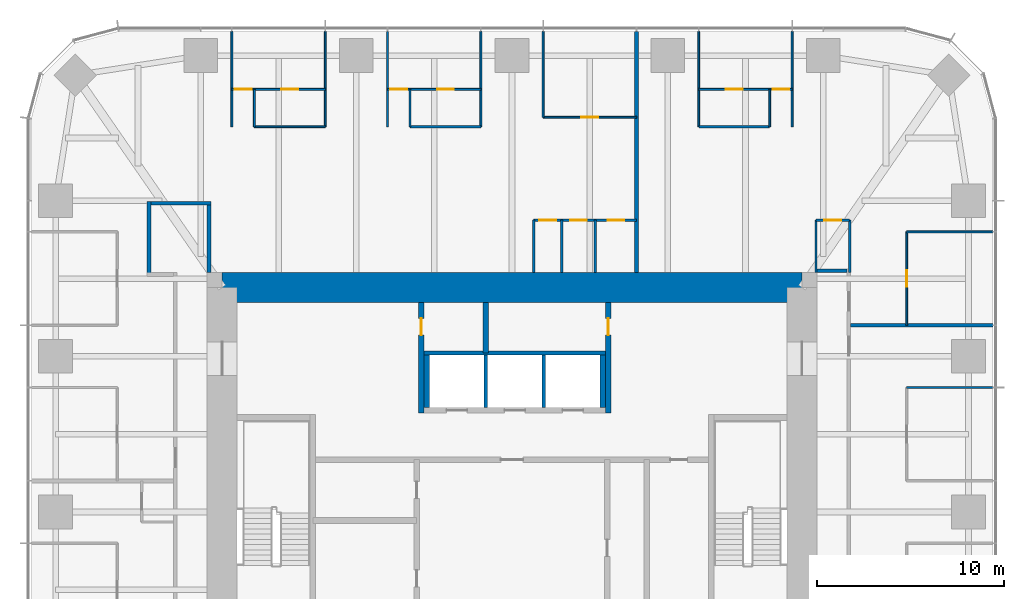
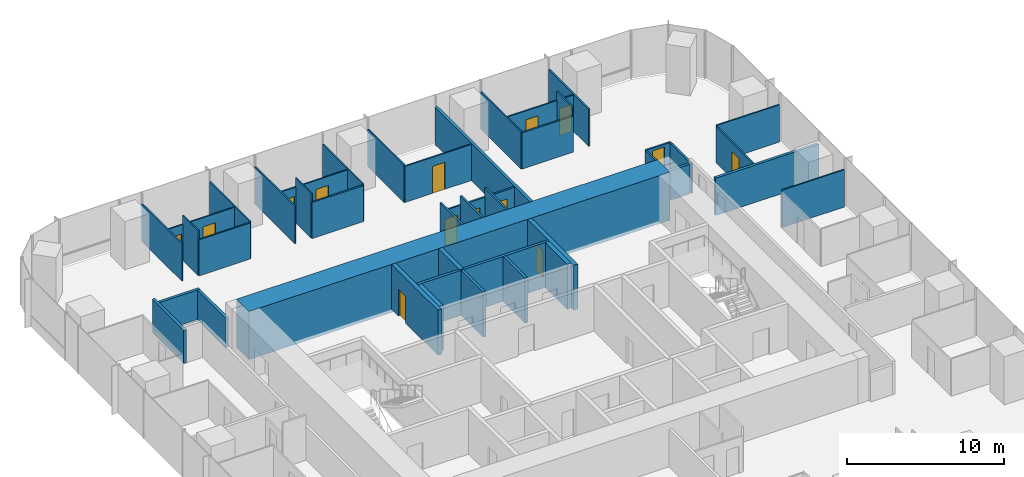
# One storey, part 11 of 13: 42 walls, 14 doors, 14 openings.
"""IFC4 building model written with IfcOpenShell, lengths in metres."""

from ifc_helpers import new_model, si_unit, direction, frame, frame_2d, origin, place, context, subcontext, project, spatial, rectangle, extrude, material, layer, layer_set, type_object, element, fill, save


model = new_model("IFC4")

# Units and contexts
model_context = context("Model", 3, precision=1e-05, world=origin(), true_north=direction((0.0, 1.0)))
body_context = subcontext(model_context, "Body", "Model", "MODEL_VIEW")
ifc_project = project(units=[si_unit("LENGTHUNIT", "METRE"), si_unit("AREAUNIT", "SQUARE_METRE"), si_unit("VOLUMEUNIT", "CUBIC_METRE"), si_unit("PLANEANGLEUNIT", "RADIAN"), si_unit("MASSUNIT", "GRAM", prefix="KILO")], contexts=[model_context])

# Site, building, storey
site_placement = place(None, origin())
site = spatial("IfcSite", under=ifc_project, at=site_placement, CompositionType="ELEMENT")
building_placement = place(site_placement, origin())
building = spatial("IfcBuilding", under=site, at=building_placement, Name="Khuree Lantern Residences", CompositionType="ELEMENT")
storey_placement = place(building_placement, frame((0.0, 0.0, 248.25)))
storey = spatial("IfcBuildingStorey", under=building, at=storey_placement, Name="L62", CompositionType="ELEMENT", Elevation=248.25)

# Wall
ifc_material_1 = material(Name="Moisture-resistant gypsum board on steel studs", Category="steel")
ifc_layer_1 = layer(ifc_material_1, 0.125)
ifc_layer_set_1 = layer_set([ifc_layer_1], Name="BATHROOM WALL BTW125")
wall_type_1 = type_object("IfcWallType", Name="BATHROOM WALL BTW125", PredefinedType="PARTITIONING", material=ifc_layer_set_1)
wall_1_placement = place(storey_placement, frame((13.77587890625, 20.594970703125, 0.0), z_axis=(0.0, 0.0, 1.0), x_axis=(-1.0, 0.0, 0.0)))
element("IfcWall", 1, at=wall_1_placement, inside=storey, type_object=wall_type_1, Name="L62 BATHROOM WALL 02", PredefinedType="PARTITIONING", context=body_context, shape_type="SweptSolid", body=[
    extrude(rectangle(XDim=3.7919921875, YDim=0.125, at=frame_2d((1.89599609375, 0.0))), origin(), (0.0, 0.0, 1.0), 2.81005859375),
])

# Wall, opening, door
wall_2_placement = place(storey_placement, frame((18.050048828125, 15.60009765625, 0.0), z_axis=(0.0, 0.0, 1.0), x_axis=(-1.0, 0.0, 0.0)))
wall_2 = element("IfcWall", 2, at=wall_2_placement, inside=storey, type_object=wall_type_1, Name="L62 BATHROOM WALL 02", PredefinedType="PARTITIONING", context=body_context, shape_type="SweptSolid", body=[
    extrude(rectangle(XDim=1.800048828125, YDim=0.125, at=frame_2d((0.89990234375, 0.0))), origin(), (0.0, 0.0, 1.0), 2.300048828125),
])
opening_1_placement = place(wall_2_placement, frame((0.449951171875, 0.0, 0.0)))
opening_1 = element("IfcOpeningElement", 3, at=opening_1_placement, cuts=wall_2, Name="Opening 62-029", PredefinedType="OPENING", context=body_context, shape_type="SweptSolid", body=[
    extrude(rectangle(XDim=0.89990234375, YDim=2.10009765625, at=frame_2d((0.449951171875, 1.050048828125))), frame((0.0, 0.072509765625, 0.0), z_axis=(0.0, -1.0, 0.0), x_axis=(1.0, 0.0, 0.0)), (0.0, 0.0, 1.0), 0.14501953125),
])
ifc_material_2 = material(Name="Timber door leaf in hardwood frame", Category="wood")
door_type_1 = type_object("IfcDoorType", Name="BATHROOM DOOR 900X2100", OperationType="SINGLE_SWING_LEFT", PredefinedType="DOOR", material=ifc_material_2)
door_1_placement = place(opening_1_placement, origin())
door_1 = element("IfcDoor", 4, at=door_1_placement, inside=storey, type_object=door_type_1, Name="Bathroom door 62-029", OperationType="SINGLE_SWING_LEFT", OverallHeight=2.10009765625, OverallWidth=0.89990234375, PredefinedType="DOOR", context=body_context, shape_type="SweptSolid", body=[
    extrude(rectangle(XDim=0.89990234375, YDim=2.10009765625, at=frame_2d((0.449951171875, 1.050048828125))), frame((0.0, 0.02490234375, 0.0), z_axis=(0.0, -1.0, 0.0), x_axis=(1.0, 0.0, 0.0)), (0.0, 0.0, 1.0), 0.050048828125),
])
fill(opening_1, door_1)

# Walls
for number, where, z_axis, x_axis, name in (
    (5, (18.050048828125, 12.800048828125, 0.0), (0.0, 0.0, 1.0), (0.0, 1.0, 0.0), "L62 BATHROOM WALL 02"),
    (6, (16.25, 12.800048828125, 0.0), (0.0, 0.0, 1.0), (0.0, 1.0, 0.0), "L62 BATHROOM WALL 02"),
):
    element("IfcWall", number, at=place(storey_placement, frame(where, z_axis=z_axis, x_axis=x_axis)), inside=storey, type_object=wall_type_1, Name=name, PredefinedType="PARTITIONING", context=body_context, shape_type="SweptSolid", body=[
        extrude(rectangle(XDim=2.800048828125, YDim=0.125, at=frame_2d((1.39990234375, 0.0))), origin(), (0.0, 0.0, 1.0), 2.300048828125),
    ])
wall_3_placement = place(storey_placement, frame((-1.6640625, 20.594970703125, 0.0), z_axis=(0.0, 0.0, 1.0), x_axis=(-1.0, 0.0, 0.0)))
element("IfcWall", 7, at=wall_3_placement, inside=storey, type_object=wall_type_1, Name="L62 BATHROOM WALL 03", PredefinedType="PARTITIONING", context=body_context, shape_type="SweptSolid", body=[
    extrude(rectangle(XDim=3.7919921875, YDim=0.125, at=frame_2d((1.89599609375, 0.0))), origin(), (0.0, 0.0, 1.0), 2.81005859375),
])

# Wall, openings, doors
wall_4_placement = place(storey_placement, frame((6.656005859375, 15.60009765625, 0.0), z_axis=(0.0, 0.0, 1.0), x_axis=(-1.0, 0.0, 0.0)))
wall_4 = element("IfcWall", 8, at=wall_4_placement, inside=storey, type_object=wall_type_1, Name="L62 BATHROOM WALL 03", PredefinedType="PARTITIONING", context=body_context, shape_type="SweptSolid", body=[
    extrude(rectangle(XDim=5.5, YDim=0.125, at=frame_2d((2.75, 0.0))), origin(), (0.0, 0.0, 1.0), 2.81005859375),
])
opening_2_placement = place(wall_4_placement, frame((0.64990234375, 0.0, 0.0)))
opening_2 = element("IfcOpeningElement", 9, at=opening_2_placement, cuts=wall_4, Name="Opening 62-038", PredefinedType="OPENING", context=body_context, shape_type="SweptSolid", body=[
    extrude(rectangle(XDim=0.89990234375, YDim=2.10009765625, at=frame_2d((0.449951171875, 1.050048828125))), frame((0.0, 0.072509765625, 0.0), z_axis=(0.0, -1.0, 0.0), x_axis=(1.0, 0.0, 0.0)), (0.0, 0.0, 1.0), 0.14501953125),
])
opening_3_placement = place(wall_4_placement, frame((2.64990234375, 0.0, 0.0)))
opening_3 = element("IfcOpeningElement", 10, at=opening_3_placement, cuts=wall_4, Name="Opening 62-039", PredefinedType="OPENING", context=body_context, shape_type="SweptSolid", body=[
    extrude(rectangle(XDim=0.89990234375, YDim=2.10009765625, at=frame_2d((0.449951171875, 1.050048828125))), frame((0.0, 0.072509765625, 0.0), z_axis=(0.0, -1.0, 0.0), x_axis=(1.0, 0.0, 0.0)), (0.0, 0.0, 1.0), 0.14501953125),
])
opening_4_placement = place(wall_4_placement, frame((4.300048828125, 0.0, 0.0)))
opening_4 = element("IfcOpeningElement", 11, at=opening_4_placement, cuts=wall_4, Name="Opening 62-040", PredefinedType="OPENING", context=body_context, shape_type="SweptSolid", body=[
    extrude(rectangle(XDim=0.89990234375, YDim=2.10009765625, at=frame_2d((0.449951171875, 1.050048828125))), frame((0.0, 0.072509765625, 0.0), z_axis=(0.0, -1.0, 0.0), x_axis=(1.0, 0.0, 0.0)), (0.0, 0.0, 1.0), 0.14501953125),
])
door_2_placement = place(opening_2_placement, origin())
door_2 = element("IfcDoor", 12, at=door_2_placement, inside=storey, type_object=door_type_1, Name="Bathroom door 62-038", OperationType="SINGLE_SWING_LEFT", OverallHeight=2.10009765625, OverallWidth=0.89990234375, PredefinedType="DOOR", context=body_context, shape_type="SweptSolid", body=[
    extrude(rectangle(XDim=0.89990234375, YDim=2.10009765625, at=frame_2d((0.449951171875, 1.050048828125))), frame((0.0, 0.02490234375, 0.0), z_axis=(0.0, -1.0, 0.0), x_axis=(1.0, 0.0, 0.0)), (0.0, 0.0, 1.0), 0.050048828125),
])
fill(opening_2, door_2)
door_type_2 = type_object("IfcDoorType", Name="DOOR 900X2100", OperationType="SINGLE_SWING_LEFT", PredefinedType="DOOR", material=ifc_material_2)
door_3_placement = place(opening_3_placement, origin())
door_3 = element("IfcDoor", 13, at=door_3_placement, inside=storey, type_object=door_type_2, Name="Store door 62-039", OperationType="SINGLE_SWING_LEFT", OverallHeight=2.10009765625, OverallWidth=0.89990234375, PredefinedType="DOOR", context=body_context, shape_type="SweptSolid", body=[
    extrude(rectangle(XDim=0.89990234375, YDim=2.10009765625, at=frame_2d((0.449951171875, 1.050048828125))), frame((0.0, 0.02490234375, 0.0), z_axis=(0.0, -1.0, 0.0), x_axis=(1.0, 0.0, 0.0)), (0.0, 0.0, 1.0), 0.050048828125),
])
fill(opening_3, door_3)
door_type_3 = type_object("IfcDoorType", Name="WC DOOR 900X2100", OperationType="SINGLE_SWING_LEFT", PredefinedType="DOOR", material=ifc_material_2)
door_4_placement = place(opening_4_placement, origin())
door_4 = element("IfcDoor", 14, at=door_4_placement, inside=storey, type_object=door_type_3, Name="WC door 62-040", OperationType="SINGLE_SWING_LEFT", OverallHeight=2.10009765625, OverallWidth=0.89990234375, PredefinedType="DOOR", context=body_context, shape_type="SweptSolid", body=[
    extrude(rectangle(XDim=0.89990234375, YDim=2.10009765625, at=frame_2d((0.449951171875, 1.050048828125))), frame((0.0, 0.02490234375, 0.0), z_axis=(0.0, -1.0, 0.0), x_axis=(1.0, 0.0, 0.0)), (0.0, 0.0, 1.0), 0.050048828125),
])
fill(opening_4, door_4)

# Walls
for number, where, z_axis, x_axis, name in (
    (15, (4.4560546875, 12.800048828125, 0.0), (0.0, 0.0, 1.0), (0.0, 1.0, 0.0), "L62 BATHROOM WALL 03"),
    (16, (2.656005859375, 12.800048828125, 0.0), (0.0, 0.0, 1.0), (0.0, 1.0, 0.0), "L62 BATHROOM WALL 03"),
    (17, (1.156005859375, 12.800048828125, 0.0), (0.0, 0.0, 1.0), (0.0, 1.0, 0.0), "L62 BATHROOM WALL 03"),
):
    element("IfcWall", number, at=place(storey_placement, frame(where, z_axis=z_axis, x_axis=x_axis)), inside=storey, type_object=wall_type_1, Name=name, PredefinedType="PARTITIONING", context=body_context, shape_type="SweptSolid", body=[
        extrude(rectangle(XDim=2.800048828125, YDim=0.125, at=frame_2d((1.39990234375, 0.0))), origin(), (0.0, 0.0, 1.0), 3.5),
    ])
ifc_material_3 = material(Name="Dense concrete blockwork", Category="masonry")
ifc_layer_2 = layer(ifc_material_3, 0.300048828125)
ifc_layer_set_2 = layer_set([ifc_layer_2], Name="CORE PARTITION WALL CPW300 EI 120")
wall_type_2 = type_object("IfcWallType", Name="CORE PARTITION WALL CPW300 EI 120", PredefinedType="PARTITIONING", material=ifc_layer_set_2)
for number, where, z_axis, x_axis, name in (
    (18, (-4.550048828125, 5.60009765625, 0.0), (0.0, 0.0, 1.0), (0.0, 1.0, 0.0), "L62 CORE WALL PHW"),
    (19, (4.85009765625, 5.60009765625, 0.0), (0.0, 0.0, 1.0), (0.0, 1.0, 0.0), "L62 CORE WALL PHE"),
):
    element("IfcWall", number, at=place(storey_placement, frame(where, z_axis=z_axis, x_axis=x_axis)), inside=storey, type_object=wall_type_2, Name=name, PredefinedType="PARTITIONING", context=body_context, shape_type="SweptSolid", body=[
        extrude(rectangle(XDim=2.7998046875, YDim=0.300048828125, at=frame_2d((1.39990234375, 0.0))), origin(), (0.0, 0.0, 1.0), 3.5),
    ])

# Wall, opening, door
wall_5_placement = place(storey_placement, frame((-4.85009765625, 5.300048828125, 0.0), z_axis=(0.0, 0.0, 1.0), x_axis=(0.0, 1.0, 0.0)))
wall_5 = element("IfcWall", 20, at=wall_5_placement, inside=storey, type_object=wall_type_2, Name="L62 CORE WALL NW", PredefinedType="PARTITIONING", context=body_context, shape_type="SweptSolid", body=[
    extrude(rectangle(XDim=5.89990234375, YDim=0.300048828125, at=frame_2d((2.949951171875, 0.0))), origin(), (0.0, 0.0, 1.0), 3.5),
])
opening_5_placement = place(wall_5_placement, frame((4.14990234375, 0.0, 0.0)))
opening_5 = element("IfcOpeningElement", 21, at=opening_5_placement, cuts=wall_5, Name="Opening 62-020", PredefinedType="OPENING", context=body_context, shape_type="SweptSolid", body=[
    extrude(rectangle(XDim=0.89990234375, YDim=2.10009765625, at=frame_2d((0.449951171875, 1.050048828125))), frame((0.0, 0.16015625, 0.0), z_axis=(0.0, -1.0, 0.0), x_axis=(1.0, 0.0, 0.0)), (0.0, 0.0, 1.0), 0.320068359375),
])
door_type_4 = type_object("IfcDoorType", Name="DOOR 900X2100 RIGHT HAND", OperationType="SINGLE_SWING_RIGHT", PredefinedType="DOOR", material=ifc_material_2)
door_5_placement = place(opening_5_placement, origin())
door_5 = element("IfcDoor", 22, at=door_5_placement, inside=storey, type_object=door_type_4, Name="Comms room door 62-020", OperationType="SINGLE_SWING_RIGHT", OverallHeight=2.10009765625, OverallWidth=0.89990234375, PredefinedType="DOOR", context=body_context, shape_type="SweptSolid", body=[
    extrude(rectangle(XDim=0.89990234375, YDim=2.10009765625, at=frame_2d((0.449951171875, 1.050048828125))), frame((0.0, 0.02490234375, 0.0), z_axis=(0.0, -1.0, 0.0), x_axis=(1.0, 0.0, 0.0)), (0.0, 0.0, 1.0), 0.050048828125),
])
fill(opening_5, door_5)

wall_6_placement = place(storey_placement, frame((5.14990234375, 5.300048828125, 0.0), z_axis=(0.0, 0.0, 1.0), x_axis=(0.0, 1.0, 0.0)))
wall_6 = element("IfcWall", 23, at=wall_6_placement, inside=storey, type_object=wall_type_2, Name="L62 CORE WALL NE", PredefinedType="PARTITIONING", context=body_context, shape_type="SweptSolid", body=[
    extrude(rectangle(XDim=5.89990234375, YDim=0.300048828125, at=frame_2d((2.949951171875, 0.0))), origin(), (0.0, 0.0, 1.0), 3.5),
])
opening_6_placement = place(wall_6_placement, frame((4.14990234375, 0.0, 0.0)))
opening_6 = element("IfcOpeningElement", 24, at=opening_6_placement, cuts=wall_6, Name="Opening 62-021", PredefinedType="OPENING", context=body_context, shape_type="SweptSolid", body=[
    extrude(rectangle(XDim=0.89990234375, YDim=2.10009765625, at=frame_2d((0.449951171875, 1.050048828125))), frame((0.0, 0.16015625, 0.0), z_axis=(0.0, -1.0, 0.0), x_axis=(1.0, 0.0, 0.0)), (0.0, 0.0, 1.0), 0.320068359375),
])
door_6_placement = place(opening_6_placement, origin())
door_6 = element("IfcDoor", 25, at=door_6_placement, inside=storey, type_object=door_type_2, Name="Bulky waste store door 62-021", OperationType="SINGLE_SWING_LEFT", OverallHeight=2.10009765625, OverallWidth=0.89990234375, PredefinedType="DOOR", context=body_context, shape_type="SweptSolid", body=[
    extrude(rectangle(XDim=0.89990234375, YDim=2.10009765625, at=frame_2d((0.449951171875, 1.050048828125))), frame((0.0, 0.02490234375, 0.0), z_axis=(0.0, -1.0, 0.0), x_axis=(1.0, 0.0, 0.0)), (0.0, 0.0, 1.0), 0.050048828125),
])
fill(opening_6, door_6)

# Walls
wall_7_placement = place(storey_placement, frame((-1.39990234375, 8.5, 0.0), z_axis=(0.0, 0.0, 1.0), x_axis=(0.0, 1.0, 0.0)))
element("IfcWall", 26, at=wall_7_placement, inside=storey, type_object=wall_type_2, Name="L62 CORE WALL NX", PredefinedType="PARTITIONING", context=body_context, shape_type="SweptSolid", body=[
    extrude(rectangle(XDim=2.699951171875, YDim=0.300048828125, at=frame_2d((1.35009765625, 0.0))), origin(), (0.0, 0.0, 1.0), 3.5),
])
ifc_material_4 = material(Name="Gypsum board on steel studs", Category="steel")
ifc_layer_3 = layer(ifc_material_4, 0.199951171875)
ifc_layer_set_3 = layer_set([ifc_layer_3], Name="CORRIDOR WALL CRW200 EI 60")
wall_type_3 = type_object("IfcWallType", Name="CORRIDOR WALL CRW200 EI 60", PredefinedType="PARTITIONING", material=ifc_layer_set_3)
wall_8_placement = place(storey_placement, frame((-19.39990234375, 12.60009765625, 0.0), z_axis=(0.0, 0.0, 1.0), x_axis=(0.0, 1.0, 0.0)))
element("IfcWall", 27, at=wall_8_placement, inside=storey, type_object=wall_type_3, Name="L62 RESIDENTS LOUNGE WALL", PredefinedType="PARTITIONING", context=body_context, shape_type="SweptSolid", body=[
    extrude(rectangle(XDim=4.0, YDim=0.199951171875, at=frame_2d((2.0, 0.0))), origin(), (0.0, 0.0, 1.0), 2.60009765625),
])
wall_9_placement = place(storey_placement, frame((-19.300048828125, 16.5, 0.0), z_axis=(0.0, 0.0, 1.0), x_axis=(1.0, 0.0, 0.0)))
element("IfcWall", 28, at=wall_9_placement, inside=storey, type_object=wall_type_3, Name="L62 RESIDENTS LOUNGE WALL", PredefinedType="PARTITIONING", context=body_context, shape_type="SweptSolid", body=[
    extrude(rectangle(XDim=3.199951171875, YDim=0.199951171875, at=frame_2d((1.60009765625, 0.0))), origin(), (0.0, 0.0, 1.0), 2.300048828125),
])
wall_10_placement = place(storey_placement, frame((-16.199951171875, 16.60009765625, 0.0), z_axis=(0.0, 0.0, 1.0), x_axis=(0.0, -1.0, 0.0)))
element("IfcWall", 29, at=wall_10_placement, inside=storey, type_object=wall_type_3, Name="L62 RESIDENTS LOUNGE WALL", PredefinedType="PARTITIONING", context=body_context, shape_type="SweptSolid", body=[
    extrude(rectangle(XDim=3.800048828125, YDim=0.199951171875, at=frame_2d((1.89990234375, 0.0))), origin(), (0.0, 0.0, 1.0), 2.300048828125),
])
wall_11_placement = place(storey_placement, frame((16.300048828125, 12.89990234375, 0.0), z_axis=(0.0, 0.0, 1.0), x_axis=(1.0, 0.0, 0.0)))
element("IfcWall", 30, at=wall_11_placement, inside=storey, type_object=wall_type_3, Name="L62 EAST CORRIDOR NORTH END WALL", PredefinedType="PARTITIONING", context=body_context, shape_type="SweptSolid", body=[
    extrude(rectangle(XDim=1.599853515625, YDim=0.199951171875, at=frame_2d((0.7998046875, 0.0))), origin(), (0.0, 0.0, 1.0), 2.300048828125),
])
ifc_material_5 = material(Name="Concrete C50/60", Category="concrete")
ifc_layer_4 = layer(ifc_material_5, 1.60009765625)
ifc_layer_set_4 = layer_set([ifc_layer_4], Name="CW1600-C50 CORE WALL C50 1600")
wall_type_4 = type_object("IfcWallType", Name="CW1600-C50 CORE WALL C50 1600", PredefinedType="SHEAR", material=ifc_layer_set_4)
wall_12_placement = place(storey_placement, frame((-15.5, 12.0, -0.25), z_axis=(0.0, 0.0, 1.0), x_axis=(1.0, 0.0, 0.0)))
element("IfcWall", 31, at=wall_12_placement, inside=storey, type_object=wall_type_4, Name="Core wall N", PredefinedType="SHEAR", context=body_context, shape_type="SweptSolid", body=[
    extrude(rectangle(XDim=31.0, YDim=1.60009765625, at=frame_2d((15.5, 0.0))), origin(), (0.0, 0.0, 1.0), 3.75),
])
ifc_layer_5 = layer(ifc_material_4, 0.199951171875)
ifc_layer_set_5 = layer_set([ifc_layer_5], Name="DEMISING WALL DMW200 EI 90")
wall_type_5 = type_object("IfcWallType", Name="DEMISING WALL DMW200 EI 90", PredefinedType="PARTITIONING", material=ifc_layer_set_5)
wall_13_placement = place(storey_placement, frame((18.10009765625, 9.98388671875, 0.0), z_axis=(0.0, 0.0, 1.0), x_axis=(1.0, 0.0, 0.0)))
element("IfcWall", 32, at=wall_13_placement, inside=storey, type_object=wall_type_5, Name="L62 DEMISING WALL 02", PredefinedType="PARTITIONING", context=body_context, shape_type="SweptSolid", body=[
    extrude(rectangle(XDim=7.599853515625, YDim=0.199951171875, at=frame_2d((3.7998046875, 0.0))), origin(), (0.0, 0.0, 1.0), 2.909912109375),
])
wall_14_placement = place(storey_placement, frame((6.656005859375, 12.800048828125, 0.0), z_axis=(0.0, 0.0, 1.0), x_axis=(0.0, 1.0, 0.0)))
element("IfcWall", 33, at=wall_14_placement, inside=storey, type_object=wall_type_5, Name="L62 DEMISING WALL 03", PredefinedType="PARTITIONING", context=body_context, shape_type="SweptSolid", body=[
    extrude(rectangle(XDim=12.89990234375, YDim=0.199951171875, at=frame_2d((6.449951171875, 0.0))), origin(), (0.0, 0.0, 1.0), 2.909912109375),
])
ifc_layer_6 = layer(ifc_material_4, 0.10009765625)
ifc_layer_set_6 = layer_set([ifc_layer_6], Name="PARTITION PT100")
wall_type_6 = type_object("IfcWallType", Name="PARTITION PT100", PredefinedType="PARTITIONING", material=ifc_layer_set_6)
for number, where, z_axis, x_axis, name in (
    (34, (21.10009765625, 6.656005859375, 0.0), (0.0, 0.0, 1.0), (1.0, 0.0, 0.0), "L62 PARTITION 01"),
    (35, (21.10009765625, 14.97607421875, 0.0), (0.0, 0.0, 1.0), (1.0, 0.0, 0.0), "L62 PARTITION 02"),
):
    element("IfcWall", number, at=place(storey_placement, frame(where, z_axis=z_axis, x_axis=x_axis)), inside=storey, type_object=wall_type_6, Name=name, PredefinedType="PARTITIONING", context=body_context, shape_type="SweptSolid", body=[
        extrude(rectangle(XDim=4.599853515625, YDim=0.10009765625, at=frame_2d((2.2998046875, 0.0))), origin(), (0.0, 0.0, 1.0), 2.909912109375),
    ])
for number, where, z_axis, x_axis, name in (
    (36, (14.97607421875, 20.594970703125, 0.0), (0.0, 0.0, 1.0), (0.0, 1.0, 0.0), "L62 PARTITION 02"),
    (37, (9.98388671875, 20.594970703125, 0.0), (0.0, 0.0, 1.0), (0.0, 1.0, 0.0), "L62 PARTITION 02"),
):
    element("IfcWall", number, at=place(storey_placement, frame(where, z_axis=z_axis, x_axis=x_axis)), inside=storey, type_object=wall_type_6, Name=name, PredefinedType="PARTITIONING", context=body_context, shape_type="SweptSolid", body=[
        extrude(rectangle(XDim=5.10498046875, YDim=0.10009765625, at=frame_2d((2.552490234375, 0.0))), origin(), (0.0, 0.0, 1.0), 2.909912109375),
    ])
wall_15_placement = place(storey_placement, frame((1.6640625, 21.10009765625, 0.0), z_axis=(0.0, 0.0, 1.0), x_axis=(0.0, 1.0, 0.0)))
element("IfcWall", 38, at=wall_15_placement, inside=storey, type_object=wall_type_6, Name="L62 PARTITION 03", PredefinedType="PARTITIONING", context=body_context, shape_type="SweptSolid", body=[
    extrude(rectangle(XDim=4.599853515625, YDim=0.10009765625, at=frame_2d((2.2998046875, 0.0))), origin(), (0.0, 0.0, 1.0), 2.909912109375),
])
for number, where, z_axis, x_axis, name in (
    (39, (-1.6640625, 20.594970703125, 0.0), (0.0, 0.0, 1.0), (0.0, 1.0, 0.0), "L62 PARTITION 03"),
    (40, (-6.656005859375, 20.594970703125, 0.0), (0.0, 0.0, 1.0), (0.0, 1.0, 0.0), "L62 PARTITION 03"),
    (41, (-9.98388671875, 20.594970703125, 0.0), (0.0, 0.0, 1.0), (0.0, 1.0, 0.0), "L62 PARTITION 03"),
    (42, (-14.97607421875, 20.594970703125, 0.0), (0.0, 0.0, 1.0), (0.0, 1.0, 0.0), "L62 PARTITION 03"),
):
    element("IfcWall", number, at=place(storey_placement, frame(where, z_axis=z_axis, x_axis=x_axis)), inside=storey, type_object=wall_type_6, Name=name, PredefinedType="PARTITIONING", context=body_context, shape_type="SweptSolid", body=[
        extrude(rectangle(XDim=5.10498046875, YDim=0.10009765625, at=frame_2d((2.552490234375, 0.0))), origin(), (0.0, 0.0, 1.0), 2.909912109375),
    ])

# Wall, opening, door
wall_16_placement = place(storey_placement, frame((21.10009765625, 9.98388671875, 0.0), z_axis=(0.0, 0.0, 1.0), x_axis=(0.0, 1.0, 0.0)))
wall_16 = element("IfcWall", 43, at=wall_16_placement, inside=storey, type_object=wall_type_6, Name="L62 PARTITION 02", PredefinedType="PARTITIONING", context=body_context, shape_type="SweptSolid", body=[
    extrude(rectangle(XDim=4.9921875, YDim=0.10009765625, at=frame_2d((2.49609375, 0.0))), origin(), (0.0, 0.0, 1.0), 2.81005859375),
])
opening_7_placement = place(wall_16_placement, frame((2.0458984375, 0.0, 0.0)))
opening_7 = element("IfcOpeningElement", 44, at=opening_7_placement, cuts=wall_16, Name="Opening 62-026", PredefinedType="OPENING", context=body_context, shape_type="SweptSolid", body=[
    extrude(rectangle(XDim=0.89990234375, YDim=2.10009765625, at=frame_2d((0.449951171875, 1.050048828125))), frame((0.0, 0.06005859375, 0.0), z_axis=(0.0, -1.0, 0.0), x_axis=(1.0, 0.0, 0.0)), (0.0, 0.0, 1.0), 0.1201171875),
])
door_type_5 = type_object("IfcDoorType", Name="BEDROOM DOOR 900X2100", OperationType="SINGLE_SWING_LEFT", PredefinedType="DOOR", material=ifc_material_2)
door_7_placement = place(opening_7_placement, origin())
door_7 = element("IfcDoor", 45, at=door_7_placement, inside=storey, type_object=door_type_5, Name="Bedroom door 62-026", OperationType="SINGLE_SWING_LEFT", OverallHeight=2.10009765625, OverallWidth=0.89990234375, PredefinedType="DOOR", context=body_context, shape_type="SweptSolid", body=[
    extrude(rectangle(XDim=0.89990234375, YDim=2.10009765625, at=frame_2d((0.449951171875, 1.050048828125))), frame((0.0, 0.02490234375, 0.0), z_axis=(0.0, -1.0, 0.0), x_axis=(1.0, 0.0, 0.0)), (0.0, 0.0, 1.0), 0.050048828125),
])
fill(opening_7, door_7)

# Wall, openings, doors
wall_17_placement = place(storey_placement, frame((14.97607421875, 22.594970703125, 0.0), z_axis=(0.0, 0.0, 1.0), x_axis=(-1.0, 0.0, 0.0)))
wall_17 = element("IfcWall", 46, at=wall_17_placement, inside=storey, type_object=wall_type_6, Name="L62 PARTITION 02", PredefinedType="PARTITIONING", context=body_context, shape_type="SweptSolid", body=[
    extrude(rectangle(XDim=4.9921875, YDim=0.10009765625, at=frame_2d((2.49609375, 0.0))), origin(), (0.0, 0.0, 1.0), 2.81005859375),
])
opening_8_placement = place(wall_17_placement, frame((0.14990234375, 0.0, 0.0)))
opening_8 = element("IfcOpeningElement", 47, at=opening_8_placement, cuts=wall_17, Name="Opening 62-027", PredefinedType="OPENING", context=body_context, shape_type="SweptSolid", body=[
    extrude(rectangle(XDim=0.89990234375, YDim=2.10009765625, at=frame_2d((0.449951171875, 1.050048828125))), frame((0.0, 0.06005859375, 0.0), z_axis=(0.0, -1.0, 0.0), x_axis=(1.0, 0.0, 0.0)), (0.0, 0.0, 1.0), 0.1201171875),
])
opening_9_placement = place(wall_17_placement, frame((2.64599609375, 0.0, 0.0)))
opening_9 = element("IfcOpeningElement", 48, at=opening_9_placement, cuts=wall_17, Name="Opening 62-028", PredefinedType="OPENING", context=body_context, shape_type="SweptSolid", body=[
    extrude(rectangle(XDim=0.89990234375, YDim=2.10009765625, at=frame_2d((0.449951171875, 1.050048828125))), frame((0.0, 0.06005859375, 0.0), z_axis=(0.0, -1.0, 0.0), x_axis=(1.0, 0.0, 0.0)), (0.0, 0.0, 1.0), 0.1201171875),
])
door_8_placement = place(opening_9_placement, origin())
door_8 = element("IfcDoor", 49, at=door_8_placement, inside=storey, type_object=door_type_1, Name="Bathroom door 62-028", OperationType="SINGLE_SWING_LEFT", OverallHeight=2.10009765625, OverallWidth=0.89990234375, PredefinedType="DOOR", context=body_context, shape_type="SweptSolid", body=[
    extrude(rectangle(XDim=0.89990234375, YDim=2.10009765625, at=frame_2d((0.449951171875, 1.050048828125))), frame((0.0, 0.02490234375, 0.0), z_axis=(0.0, -1.0, 0.0), x_axis=(1.0, 0.0, 0.0)), (0.0, 0.0, 1.0), 0.050048828125),
])
fill(opening_9, door_8)
door_9_placement = place(opening_8_placement, origin())
door_9 = element("IfcDoor", 50, at=door_9_placement, inside=storey, type_object=door_type_5, Name="Bedroom door 62-027", OperationType="SINGLE_SWING_LEFT", OverallHeight=2.10009765625, OverallWidth=0.89990234375, PredefinedType="DOOR", context=body_context, shape_type="SweptSolid", body=[
    extrude(rectangle(XDim=0.89990234375, YDim=2.10009765625, at=frame_2d((0.449951171875, 1.050048828125))), frame((0.0, 0.02490234375, 0.0), z_axis=(0.0, -1.0, 0.0), x_axis=(1.0, 0.0, 0.0)), (0.0, 0.0, 1.0), 0.050048828125),
])
fill(opening_8, door_9)

# Wall
wall_18_placement = place(storey_placement, frame((13.77587890625, 20.594970703125, 0.0), z_axis=(0.0, 0.0, 1.0), x_axis=(0.0, 1.0, 0.0)))
element("IfcWall", 51, at=wall_18_placement, inside=storey, type_object=wall_type_6, Name="L62 PARTITION 02", PredefinedType="PARTITIONING", context=body_context, shape_type="SweptSolid", body=[
    extrude(rectangle(XDim=2.0, YDim=0.10009765625, at=frame_2d((1.0, 0.0))), origin(), (0.0, 0.0, 1.0), 3.5),
])

# Wall, opening, door
wall_19_placement = place(storey_placement, frame((6.656005859375, 21.10009765625, 0.0), z_axis=(0.0, 0.0, 1.0), x_axis=(-1.0, 0.0, 0.0)))
wall_19 = element("IfcWall", 52, at=wall_19_placement, inside=storey, type_object=wall_type_6, Name="L62 PARTITION 03", PredefinedType="PARTITIONING", context=body_context, shape_type="SweptSolid", body=[
    extrude(rectangle(XDim=4.991943359375, YDim=0.10009765625, at=frame_2d((2.49609375, 0.0))), origin(), (0.0, 0.0, 1.0), 2.81005859375),
])
opening_10_placement = place(wall_19_placement, frame((2.0458984375, 0.0, 0.0)))
opening_10 = element("IfcOpeningElement", 53, at=opening_10_placement, cuts=wall_19, Name="Opening 62-031", PredefinedType="OPENING", context=body_context, shape_type="SweptSolid", body=[
    extrude(rectangle(XDim=0.89990234375, YDim=2.10009765625, at=frame_2d((0.449951171875, 1.050048828125))), frame((0.0, 0.06005859375, 0.0), z_axis=(0.0, -1.0, 0.0), x_axis=(1.0, 0.0, 0.0)), (0.0, 0.0, 1.0), 0.1201171875),
])
door_10_placement = place(opening_10_placement, origin())
door_10 = element("IfcDoor", 54, at=door_10_placement, inside=storey, type_object=door_type_5, Name="Bedroom door 62-031", OperationType="SINGLE_SWING_LEFT", OverallHeight=2.10009765625, OverallWidth=0.89990234375, PredefinedType="DOOR", context=body_context, shape_type="SweptSolid", body=[
    extrude(rectangle(XDim=0.89990234375, YDim=2.10009765625, at=frame_2d((0.449951171875, 1.050048828125))), frame((0.0, 0.02490234375, 0.0), z_axis=(0.0, -1.0, 0.0), x_axis=(1.0, 0.0, 0.0)), (0.0, 0.0, 1.0), 0.050048828125),
])
fill(opening_10, door_10)

# Wall, openings, doors
wall_20_placement = place(storey_placement, frame((-1.6640625, 22.594970703125, 0.0), z_axis=(0.0, 0.0, 1.0), x_axis=(-1.0, 0.0, 0.0)))
wall_20 = element("IfcWall", 55, at=wall_20_placement, inside=storey, type_object=wall_type_6, Name="L62 PARTITION 03", PredefinedType="PARTITIONING", context=body_context, shape_type="SweptSolid", body=[
    extrude(rectangle(XDim=4.991943359375, YDim=0.10009765625, at=frame_2d((2.49609375, 0.0))), origin(), (0.0, 0.0, 1.0), 2.81005859375),
])
opening_11_placement = place(wall_20_placement, frame((3.94189453125, 0.0, 0.0)))
opening_11 = element("IfcOpeningElement", 56, at=opening_11_placement, cuts=wall_20, Name="Opening 62-032", PredefinedType="OPENING", context=body_context, shape_type="SweptSolid", body=[
    extrude(rectangle(XDim=0.89990234375, YDim=2.10009765625, at=frame_2d((0.449951171875, 1.050048828125))), frame((0.0, 0.06005859375, 0.0), z_axis=(0.0, -1.0, 0.0), x_axis=(1.0, 0.0, 0.0)), (0.0, 0.0, 1.0), 0.1201171875),
])
opening_12_placement = place(wall_20_placement, frame((1.446044921875, 0.0, 0.0)))
opening_12 = element("IfcOpeningElement", 57, at=opening_12_placement, cuts=wall_20, Name="Opening 62-033", PredefinedType="OPENING", context=body_context, shape_type="SweptSolid", body=[
    extrude(rectangle(XDim=0.89990234375, YDim=2.10009765625, at=frame_2d((0.449951171875, 1.050048828125))), frame((0.0, 0.06005859375, 0.0), z_axis=(0.0, -1.0, 0.0), x_axis=(1.0, 0.0, 0.0)), (0.0, 0.0, 1.0), 0.1201171875),
])
door_11_placement = place(opening_12_placement, origin())
door_11 = element("IfcDoor", 58, at=door_11_placement, inside=storey, type_object=door_type_1, Name="Bathroom door 62-033", OperationType="SINGLE_SWING_LEFT", OverallHeight=2.10009765625, OverallWidth=0.89990234375, PredefinedType="DOOR", context=body_context, shape_type="SweptSolid", body=[
    extrude(rectangle(XDim=0.89990234375, YDim=2.10009765625, at=frame_2d((0.449951171875, 1.050048828125))), frame((0.0, 0.02490234375, 0.0), z_axis=(0.0, -1.0, 0.0), x_axis=(1.0, 0.0, 0.0)), (0.0, 0.0, 1.0), 0.050048828125),
])
fill(opening_12, door_11)
door_12_placement = place(opening_11_placement, origin())
door_12 = element("IfcDoor", 59, at=door_12_placement, inside=storey, type_object=door_type_5, Name="Bedroom door 62-032", OperationType="SINGLE_SWING_LEFT", OverallHeight=2.10009765625, OverallWidth=0.89990234375, PredefinedType="DOOR", context=body_context, shape_type="SweptSolid", body=[
    extrude(rectangle(XDim=0.89990234375, YDim=2.10009765625, at=frame_2d((0.449951171875, 1.050048828125))), frame((0.0, 0.02490234375, 0.0), z_axis=(0.0, -1.0, 0.0), x_axis=(1.0, 0.0, 0.0)), (0.0, 0.0, 1.0), 0.050048828125),
])
fill(opening_11, door_12)

# Wall
wall_21_placement = place(storey_placement, frame((-5.4560546875, 20.594970703125, 0.0), z_axis=(0.0, 0.0, 1.0), x_axis=(0.0, 1.0, 0.0)))
element("IfcWall", 60, at=wall_21_placement, inside=storey, type_object=wall_type_6, Name="L62 PARTITION 03", PredefinedType="PARTITIONING", context=body_context, shape_type="SweptSolid", body=[
    extrude(rectangle(XDim=2.0, YDim=0.10009765625, at=frame_2d((1.0, 0.0))), origin(), (0.0, 0.0, 1.0), 3.5),
])

# Wall, openings, doors
wall_22_placement = place(storey_placement, frame((-9.98388671875, 22.594970703125, 0.0), z_axis=(0.0, 0.0, 1.0), x_axis=(-1.0, 0.0, 0.0)))
wall_22 = element("IfcWall", 61, at=wall_22_placement, inside=storey, type_object=wall_type_6, Name="L62 PARTITION 03", PredefinedType="PARTITIONING", context=body_context, shape_type="SweptSolid", body=[
    extrude(rectangle(XDim=4.9921875, YDim=0.10009765625, at=frame_2d((2.49609375, 0.0))), origin(), (0.0, 0.0, 1.0), 2.81005859375),
])
opening_13_placement = place(wall_22_placement, frame((3.94189453125, 0.0, 0.0)))
opening_13 = element("IfcOpeningElement", 62, at=opening_13_placement, cuts=wall_22, Name="Opening 62-034", PredefinedType="OPENING", context=body_context, shape_type="SweptSolid", body=[
    extrude(rectangle(XDim=0.89990234375, YDim=2.10009765625, at=frame_2d((0.449951171875, 1.050048828125))), frame((0.0, 0.06005859375, 0.0), z_axis=(0.0, -1.0, 0.0), x_axis=(1.0, 0.0, 0.0)), (0.0, 0.0, 1.0), 0.1201171875),
])
opening_14_placement = place(wall_22_placement, frame((1.446044921875, 0.0, 0.0)))
opening_14 = element("IfcOpeningElement", 63, at=opening_14_placement, cuts=wall_22, Name="Opening 62-035", PredefinedType="OPENING", context=body_context, shape_type="SweptSolid", body=[
    extrude(rectangle(XDim=0.89990234375, YDim=2.10009765625, at=frame_2d((0.449951171875, 1.050048828125))), frame((0.0, 0.06005859375, 0.0), z_axis=(0.0, -1.0, 0.0), x_axis=(1.0, 0.0, 0.0)), (0.0, 0.0, 1.0), 0.1201171875),
])
door_13_placement = place(opening_13_placement, origin())
door_13 = element("IfcDoor", 64, at=door_13_placement, inside=storey, type_object=door_type_5, Name="Bedroom door 62-034", OperationType="SINGLE_SWING_LEFT", OverallHeight=2.10009765625, OverallWidth=0.89990234375, PredefinedType="DOOR", context=body_context, shape_type="SweptSolid", body=[
    extrude(rectangle(XDim=0.89990234375, YDim=2.10009765625, at=frame_2d((0.449951171875, 1.050048828125))), frame((0.0, 0.02490234375, 0.0), z_axis=(0.0, -1.0, 0.0), x_axis=(1.0, 0.0, 0.0)), (0.0, 0.0, 1.0), 0.050048828125),
])
fill(opening_13, door_13)
door_14_placement = place(opening_14_placement, origin())
door_14 = element("IfcDoor", 65, at=door_14_placement, inside=storey, type_object=door_type_2, Name="Wardrobe door 62-035", OperationType="SINGLE_SWING_LEFT", OverallHeight=2.10009765625, OverallWidth=0.89990234375, PredefinedType="DOOR", context=body_context, shape_type="SweptSolid", body=[
    extrude(rectangle(XDim=0.89990234375, YDim=2.10009765625, at=frame_2d((0.449951171875, 1.050048828125))), frame((0.0, 0.02490234375, 0.0), z_axis=(0.0, -1.0, 0.0), x_axis=(1.0, 0.0, 0.0)), (0.0, 0.0, 1.0), 0.050048828125),
])
fill(opening_14, door_14)

# Walls
wall_23_placement = place(storey_placement, frame((-13.77587890625, 20.594970703125, 0.0), z_axis=(0.0, 0.0, 1.0), x_axis=(0.0, 1.0, 0.0)))
element("IfcWall", 66, at=wall_23_placement, inside=storey, type_object=wall_type_6, Name="L62 PARTITION 03", PredefinedType="PARTITIONING", context=body_context, shape_type="SweptSolid", body=[
    extrude(rectangle(XDim=2.0, YDim=0.10009765625, at=frame_2d((1.0, 0.0))), origin(), (0.0, 0.0, 1.0), 3.5),
])
wall_24_placement = place(storey_placement, frame((-9.98388671875, 20.594970703125, 0.0), z_axis=(0.0, 0.0, 1.0), x_axis=(-1.0, 0.0, 0.0)))
element("IfcWall", 67, at=wall_24_placement, inside=storey, type_object=wall_type_6, Name="L62 PARTITION 03", PredefinedType="PARTITIONING", context=body_context, shape_type="SweptSolid", body=[
    extrude(rectangle(XDim=3.7919921875, YDim=0.10009765625, at=frame_2d((1.89599609375, 0.0))), origin(), (0.0, 0.0, 1.0), 2.81005859375),
])
ifc_layer_7 = layer(ifc_material_3, 0.199951171875)
ifc_layer_set_7 = layer_set([ifc_layer_7], Name="SHAFT WALL SHW200 EI 120")
wall_type_7 = type_object("IfcWallType", Name="SHAFT WALL SHW200 EI 120", PredefinedType="PARTITIONING", material=ifc_layer_set_7)
wall_25_placement = place(storey_placement, frame((-4.699951171875, 8.5, 0.0), z_axis=(0.0, 0.0, 1.0), x_axis=(1.0, 0.0, 0.0)))
element("IfcWall", 68, at=wall_25_placement, inside=storey, type_object=wall_type_7, Name="L62 CORE WALL PHN", PredefinedType="PARTITIONING", context=body_context, shape_type="SweptSolid", body=[
    extrude(rectangle(XDim=9.699951171875, YDim=0.199951171875, at=frame_2d((4.85009765625, 0.0))), origin(), (0.0, 0.0, 1.0), 3.5),
])
for number, where, z_axis, x_axis, name in (
    (69, (-1.39990234375, 5.60009765625, 0.0), (0.0, 0.0, 1.0), (0.0, 1.0, 0.0), "L62 CORE WALL PHD1"),
    (70, (1.699951171875, 5.60009765625, 0.0), (0.0, 0.0, 1.0), (0.0, 1.0, 0.0), "L62 CORE WALL PHD2"),
):
    element("IfcWall", number, at=place(storey_placement, frame(where, z_axis=z_axis, x_axis=x_axis)), inside=storey, type_object=wall_type_7, Name=name, PredefinedType="PARTITIONING", context=body_context, shape_type="SweptSolid", body=[
        extrude(rectangle(XDim=2.7998046875, YDim=0.199951171875, at=frame_2d((1.39990234375, 0.0))), origin(), (0.0, 0.0, 1.0), 3.5),
    ])

save(model, "model.ifc")
